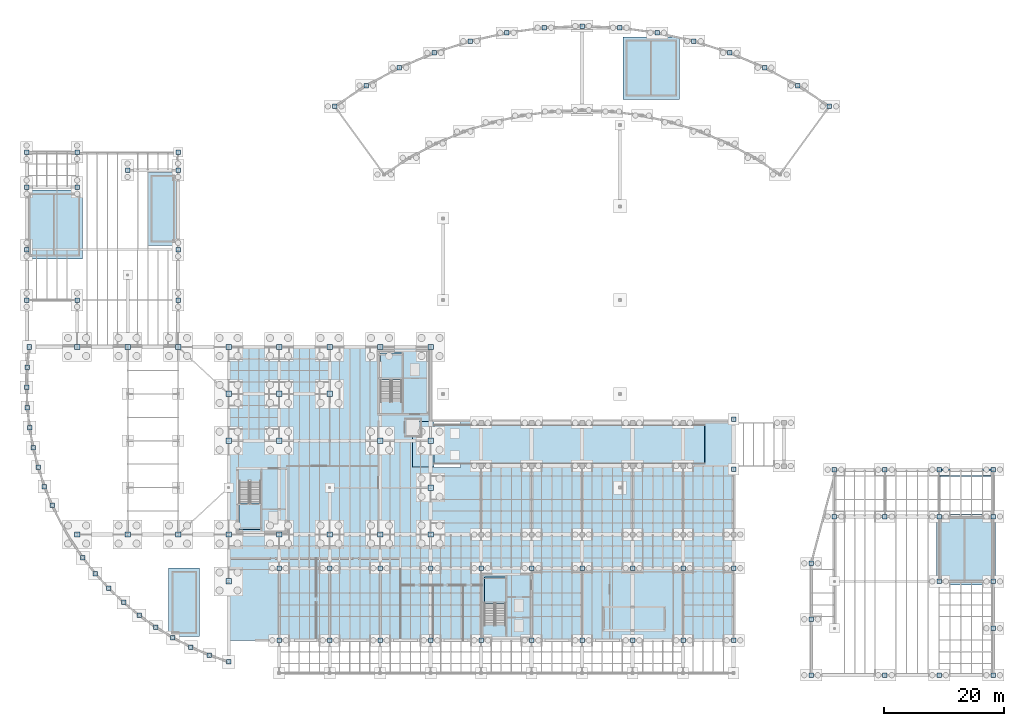
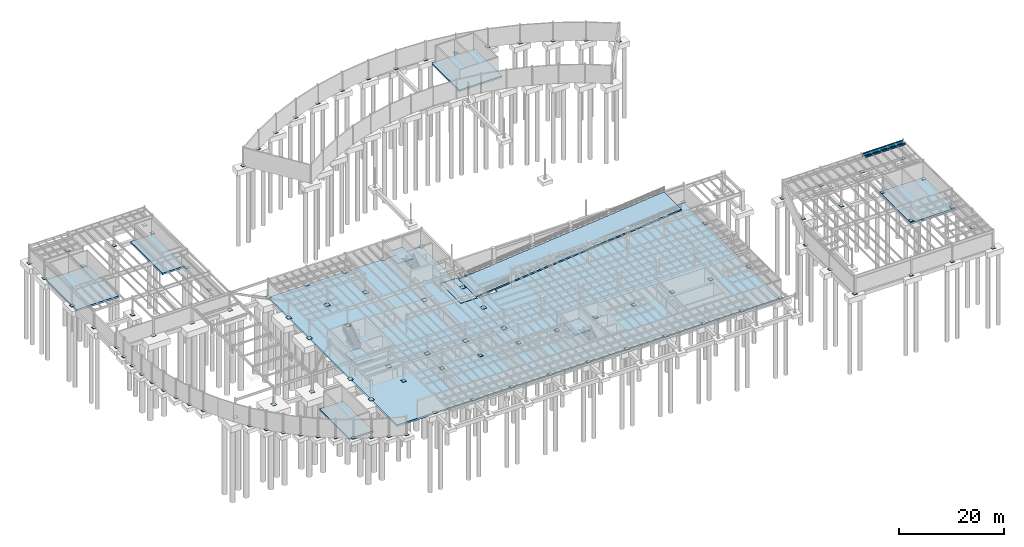
# One storey, part 31 of 41: 110 plates, 11 slabs, 2 beams, 3 elements without a shape of their own.
"""IFC4 building model written with IfcOpenShell, lengths in metres."""

from ifc_helpers import new_model, si_unit, direction, frame, origin, origin_2d, place, context, subcontext, project, spatial, polyline, rectangle, i_section, outline, extrude, material, layer, layer_set, material_profile, profile_set, type_object, element, aggregate, save


model = new_model("IFC4")

# Units and contexts
model_context = context("Model", 3, precision=1e-05, world=origin(), true_north=direction((0.0, 1.0)))
body_context = subcontext(model_context, "Body", "Model", "MODEL_VIEW")
ifc_project = project(units=[si_unit("LENGTHUNIT", "METRE"), si_unit("AREAUNIT", "SQUARE_METRE"), si_unit("VOLUMEUNIT", "CUBIC_METRE"), si_unit("PLANEANGLEUNIT", "RADIAN"), si_unit("MASSUNIT", "GRAM", prefix="KILO")], contexts=[model_context])

# Site, building, storey
site_placement = place(None, origin())
site = spatial("IfcSite", under=ifc_project, at=site_placement, CompositionType="ELEMENT")
building_placement = place(site_placement, origin())
building = spatial("IfcBuilding", under=site, at=building_placement, Name="Selat Folded Stagehouse", CompositionType="ELEMENT")
storey_placement = place(building_placement, frame((0.0, 0.0, -4.5)))
storey = spatial("IfcBuildingStorey", under=building, at=storey_placement, Name="B1", CompositionType="ELEMENT", Elevation=-4.5)

# Beams
ifc_material_1 = material(Name="Steel S355", Category="steel")
ifc_material_profile_1 = material_profile(ifc_material_1, i_section(OverallWidth=0.253662109375, OverallDepth=0.68359375, WebThickness=0.012451171875, FlangeThickness=0.01904296875, FilletRadius=0.01513671875, at=origin_2d()), Name="UKB 686x254x140")
ifc_profile_set_1 = profile_set([ifc_material_profile_1], Name="Steel S355")
beam_type_1 = type_object("IfcBeamType", Name="BM-GIRD-686x254x140", PredefinedType="BEAM", material=ifc_profile_set_1)
beam_1_placement = place(storey_placement, frame((151.8798828125, 34.199951171875, 3.908203125), z_axis=(1.0, 0.0, 0.0), x_axis=(0.0, 1.0, 0.0)))
element("IfcBeam", 1, at=beam_1_placement, inside=storey, type_object=beam_type_1, Name="B1 primary x-girder 0052", PredefinedType="BEAM", context=body_context, shape_type="SweptSolid", body=[
    extrude(i_section(OverallWidth=0.253662109375, OverallDepth=0.68359375, WebThickness=0.012451171875, FlangeThickness=0.01904296875, FilletRadius=0.01513671875, at=origin_2d()), origin(), (0.0, 0.0, 1.0), 8.840087890625),
])
ifc_material_profile_2 = material_profile(ifc_material_1, i_section(OverallWidth=0.177978515625, OverallDepth=0.406494140625, WebThickness=0.0078125, FlangeThickness=0.0126953125, FilletRadius=0.01025390625, at=origin_2d()), Name="UKB 406x178x60")
ifc_profile_set_2 = profile_set([ifc_material_profile_2], Name="Steel S355")
beam_type_2 = type_object("IfcBeamType", Name="JST-406x178x60", PredefinedType="JOIST", material=ifc_profile_set_2)
beam_2_placement = place(storey_placement, frame((151.873779296875, 33.14990234375, 4.046875), z_axis=(1.0, 0.0, 0.0), x_axis=(0.0, 1.0, 0.0)))
element("IfcBeam", 2, at=beam_2_placement, inside=storey, type_object=beam_type_2, Name="B1 secondary x-joist 0481", PredefinedType="JOIST", context=body_context, shape_type="SweptSolid", body=[
    extrude(i_section(OverallWidth=0.177978515625, OverallDepth=0.406494140625, WebThickness=0.0078125, FlangeThickness=0.0126953125, FilletRadius=0.01025390625, at=origin_2d()), origin(), (0.0, 0.0, 1.0), 8.8525390625),
])

# Plates
ifc_layer_1 = layer(ifc_material_1, 0.031982421875)
ifc_layer_set_1 = layer_set([ifc_layer_1], Name="Steel S355")
plate_type_1 = type_object("IfcPlateType", Name="PLT-BASE-750x750x32", PredefinedType="USERDEFINED", material=ifc_layer_set_1)
for number, where, z_axis, x_axis, name in (
    (3, (0.455810546875, 54.60009765625, 0.0), (0.0, 0.0, 1.0), (1.0, 0.0, 0.0), "Column base plate STK-DRM-00"),
    (4, (0.110107421875, 51.248779296875, 0.0), (0.0, 0.0, 1.0), (1.0, 0.0, 0.0), "Column base plate STK-DRM-01"),
    (5, (0.0, 47.881591796875, 0.0), (0.0, 0.0, 1.0), (1.0, 0.0, 0.0), "Column base plate STK-DRM-02"),
    (6, (0.126708984375, 44.514892578125, 0.0), (0.0, 0.0, 1.0), (1.0, 0.0, 0.0), "Column base plate STK-DRM-03"),
    (7, (0.489013671875, 41.16552734375, 0.0), (0.0, 0.0, 1.0), (1.0, 0.0, 0.0), "Column base plate STK-DRM-04"),
    (8, (1.08544921875, 37.849609375, 0.0), (0.0, 0.0, 1.0), (1.0, 0.0, 0.0), "Column base plate STK-DRM-05"),
    (9, (1.9130859375, 34.583984375, 0.0), (0.0, 0.0, 1.0), (1.0, 0.0, 0.0), "Column base plate STK-DRM-06"),
    (10, (2.967529296875, 31.38427734375, 0.0), (0.0, 0.0, 1.0), (1.0, 0.0, 0.0), "Column base plate STK-DRM-07"),
    (11, (4.243896484375, 28.266357421875, 0.0), (0.0, 0.0, 1.0), (1.0, 0.0, 0.0), "Column base plate STK-DRM-08"),
    (12, (9.336181640625, 19.55517578125, 0.0), (0.0, 0.0, 1.0), (1.0, 0.0, 0.0), "Column base plate STK-DRM-11"),
    (13, (11.4267578125, 16.9130859375, 0.0), (0.0, 0.0, 1.0), (1.0, 0.0, 0.0), "Column base plate STK-DRM-12"),
    (14, (13.697509765625, 14.42431640625, 0.0), (0.0, 0.0, 1.0), (1.0, 0.0, 0.0), "Column base plate STK-DRM-13"),
    (15, (16.136962890625, 12.100830078125, 0.0), (0.0, 0.0, 1.0), (1.0, 0.0, 0.0), "Column base plate STK-DRM-14"),
    (16, (18.733642578125, 9.954345703125, 0.0), (0.0, 0.0, 1.0), (1.0, 0.0, 0.0), "Column base plate STK-DRM-15"),
    (17, (21.474365234375, 7.9951171875, 0.0), (0.0, 0.0, 1.0), (1.0, 0.0, 0.0), "Column base plate STK-DRM-16"),
    (18, (24.345703125, 6.23291015625, 0.0), (0.0, 0.0, 1.0), (1.0, 0.0, 0.0), "Column base plate STK-DRM-17"),
    (19, (27.333740234375, 4.6767578125, 0.0), (0.0, 0.0, 1.0), (1.0, 0.0, 0.0), "Column base plate STK-DRM-18"),
    (20, (30.423583984375, 3.333740234375, 0.0), (0.0, 0.0, 1.0), (1.0, 0.0, 0.0), "Column base plate STK-DRM-19"),
    (21, (33.60009765625, 2.2109375, 0.0), (0.0, 0.0, 1.0), (1.0, 0.0, 0.0), "Column base plate STK-DRM-20"),
    (22, (42.0, 5.800048828125, 0.0), (0.0, 0.0, 1.0), (1.0, 0.0, 0.0), "Column base plate STK-V5-42-58"),
    (23, (42.0, 17.800048828125, 0.0), (0.0, 0.0, 1.0), (1.0, 0.0, 0.0), "Column base plate STK-V5-42-178"),
    (24, (50.39990234375, 5.800048828125, 0.0), (0.0, 0.0, 1.0), (1.0, 0.0, 0.0), "Column base plate STK-V5-50-58"),
    (25, (50.39990234375, 17.800048828125, 0.0), (0.0, 0.0, 1.0), (1.0, 0.0, 0.0), "Column base plate STK-V5-50-178"),
    (26, (58.800048828125, 5.800048828125, 0.0), (0.0, 0.0, 1.0), (1.0, 0.0, 0.0), "Column base plate STK-V5-58-58"),
    (27, (58.800048828125, 17.800048828125, 0.0), (0.0, 0.0, 1.0), (1.0, 0.0, 0.0), "Column base plate STK-V5-58-178"),
    (28, (67.199951171875, 5.800048828125, 0.0), (0.0, 0.0, 1.0), (1.0, 0.0, 0.0), "Column base plate STK-V5-67-58"),
    (29, (67.199951171875, 17.800048828125, 0.0), (0.0, 0.0, 1.0), (1.0, 0.0, 0.0), "Column base plate STK-V5-67-178"),
    (30, (75.60009765625, 5.800048828125, 0.0), (0.0, 0.0, 1.0), (1.0, 0.0, 0.0), "Column base plate STK-V5-75-58"),
    (31, (75.60009765625, 17.800048828125, 0.0), (0.0, 0.0, 1.0), (1.0, 0.0, 0.0), "Column base plate STK-V5-75-178"),
    (32, (84.0, 5.800048828125, 0.0), (0.0, 0.0, 1.0), (1.0, 0.0, 0.0), "Column base plate STK-V5-84-58"),
    (33, (84.0, 17.800048828125, 0.0), (0.0, 0.0, 1.0), (1.0, 0.0, 0.0), "Column base plate STK-V5-84-178"),
    (34, (92.39990234375, 5.800048828125, 0.0), (0.0, 0.0, 1.0), (1.0, 0.0, 0.0), "Column base plate STK-V5-92-58"),
    (35, (92.39990234375, 17.800048828125, 0.0), (0.0, 0.0, 1.0), (1.0, 0.0, 0.0), "Column base plate STK-V5-92-178"),
    (36, (100.800048828125, 5.800048828125, 0.0), (0.0, 0.0, 1.0), (1.0, 0.0, 0.0), "Column base plate STK-V5-100-58"),
    (37, (100.800048828125, 17.800048828125, 0.0), (0.0, 0.0, 1.0), (1.0, 0.0, 0.0), "Column base plate STK-V5-100-178"),
    (38, (109.199951171875, 5.800048828125, 0.0), (0.0, 0.0, 1.0), (1.0, 0.0, 0.0), "Column base plate STK-V5-109-58"),
    (39, (109.199951171875, 17.800048828125, 0.0), (0.0, 0.0, 1.0), (1.0, 0.0, 0.0), "Column base plate STK-V5-109-178"),
    (40, (117.60009765625, 5.800048828125, 0.0), (0.0, 0.0, 1.0), (1.0, 0.0, 0.0), "Column base plate STK-V5-117-58"),
    (41, (117.60009765625, 17.800048828125, 0.0), (0.0, 0.0, 1.0), (1.0, 0.0, 0.0), "Column base plate STK-V5-117-178"),
    (42, (130.510498046875, 0.0, 0.0), (0.0, 0.0, 1.0), (1.0, 0.0, 0.0), "Column base plate STK-V3-00"),
    (43, (130.510498046875, 9.300048828125, 0.0), (0.0, 0.0, 1.0), (1.0, 0.0, 0.0), "Column base plate STK-V3-01"),
    (44, (130.510498046875, 18.60009765625, 0.0), (0.0, 0.0, 1.0), (1.0, 0.0, 0.0), "Column base plate STK-V3-02"),
    (45, (134.39990234375, 26.39990234375, 0.0), (0.0, 0.0, 1.0), (1.0, 0.0, 0.0), "Column base plate STK-V3-03"),
    (46, (134.39990234375, 34.199951171875, 0.0), (0.0, 0.0, 1.0), (1.0, 0.0, 0.0), "Column base plate STK-V3-04"),
    (47, (142.800048828125, 0.0, 0.0), (0.0, 0.0, 1.0), (1.0, 0.0, 0.0), "Column base plate STK-V3-05"),
    (48, (142.800048828125, 26.39990234375, 0.0), (0.0, 0.0, 1.0), (1.0, 0.0, 0.0), "Column base plate STK-V3-06"),
    (49, (142.800048828125, 34.199951171875, 0.0), (0.0, 0.0, 1.0), (1.0, 0.0, 0.0), "Column base plate STK-V3-07"),
    (50, (151.800048828125, 0.0, 0.0), (0.0, 0.0, 1.0), (1.0, 0.0, 0.0), "Column base plate STK-V3-08"),
    (51, (151.800048828125, 15.60009765625, 0.0), (0.0, 0.0, 1.0), (1.0, 0.0, 0.0), "Column base plate STK-V3-09"),
    (52, (151.800048828125, 26.39990234375, 0.0), (0.0, 0.0, 1.0), (1.0, 0.0, 0.0), "Column base plate STK-V3-10"),
    (53, (151.800048828125, 34.199951171875, 0.0), (0.0, 0.0, 1.0), (1.0, 0.0, 0.0), "Column base plate STK-V3-11"),
    (54, (160.800048828125, 0.0, 0.0), (0.0, 0.0, 1.0), (1.0, 0.0, 0.0), "Column base plate STK-V3-12"),
    (55, (160.800048828125, 7.800048828125, 0.0), (0.0, 0.0, 1.0), (1.0, 0.0, 0.0), "Column base plate STK-V3-13"),
    (56, (160.800048828125, 15.60009765625, 0.0), (0.0, 0.0, 1.0), (1.0, 0.0, 0.0), "Column base plate STK-V3-14"),
    (57, (160.800048828125, 26.39990234375, 0.0), (0.0, 0.0, 1.0), (1.0, 0.0, 0.0), "Column base plate STK-V3-15"),
    (58, (160.800048828125, 34.199951171875, 0.0), (0.0, 0.0, 1.0), (1.0, 0.0, 0.0), "Column base plate STK-V3-16"),
    (59, (0.0, 62.39990234375, 0.0), (0.0, 0.0, 1.0), (1.0, 0.0, 0.0), "Column base plate STK-V4-01"),
    (60, (0.0, 70.800048828125, 0.0), (0.0, 0.0, 1.0), (1.0, 0.0, 0.0), "Column base plate STK-V4-02"),
    (61, (0.0, 81.199951171875, 0.0), (0.0, 0.0, 1.0), (1.0, 0.0, 0.0), "Column base plate STK-V4-03"),
    (62, (0.0, 87.0, 0.0), (0.0, 0.0, 1.0), (1.0, 0.0, 0.0), "Column base plate STK-V4-04"),
    (63, (8.39990234375, 62.39990234375, 0.0), (0.0, 0.0, 1.0), (1.0, 0.0, 0.0), "Column base plate STK-V4-05"),
    (64, (8.39990234375, 81.199951171875, 0.0), (0.0, 0.0, 1.0), (1.0, 0.0, 0.0), "Column base plate STK-V4-06"),
    (65, (8.39990234375, 87.0, 0.0), (0.0, 0.0, 1.0), (1.0, 0.0, 0.0), "Column base plate STK-V4-07"),
    (66, (16.800048828125, 84.0, 0.0), (0.0, 0.0, 1.0), (1.0, 0.0, 0.0), "Column base plate STK-V4-08"),
    (67, (25.199951171875, 62.39990234375, 0.0), (0.0, 0.0, 1.0), (1.0, 0.0, 0.0), "Column base plate STK-V4-10"),
    (68, (25.199951171875, 70.800048828125, 0.0), (0.0, 0.0, 1.0), (1.0, 0.0, 0.0), "Column base plate STK-V4-11"),
    (69, (25.199951171875, 84.0, 0.0), (0.0, 0.0, 1.0), (1.0, 0.0, 0.0), "Column base plate STK-V4-12"),
    (70, (25.199951171875, 87.0, 0.0), (0.0, 0.0, 1.0), (1.0, 0.0, 0.0), "Column base plate STK-V4-13"),
    (71, (51.2548828125, 94.631103515625, 0.0), (0.0, 0.0, 1.0), (1.0, 0.0, 0.0), "Column base plate STK-V6OUT-00"),
    (72, (56.4970703125, 98.09130859375, 0.0), (0.0, 0.0, 1.0), (1.0, 0.0, 0.0), "Column base plate STK-V6OUT-01"),
    (73, (62.028076171875, 101.06787109375, 0.0), (0.0, 0.0, 1.0), (1.0, 0.0, 0.0), "Column base plate STK-V6OUT-02"),
    (74, (67.8037109375, 103.536376953125, 0.0), (0.0, 0.0, 1.0), (1.0, 0.0, 0.0), "Column base plate STK-V6OUT-03"),
    (75, (73.77734375, 105.477294921875, 0.0), (0.0, 0.0, 1.0), (1.0, 0.0, 0.0), "Column base plate STK-V6OUT-04"),
    (76, (79.90087890625, 106.875, 0.0), (0.0, 0.0, 1.0), (1.0, 0.0, 0.0), "Column base plate STK-V6OUT-05"),
    (77, (86.125244140625, 107.71826171875, 0.0), (0.0, 0.0, 1.0), (1.0, 0.0, 0.0), "Column base plate STK-V6OUT-06"),
    (78, (92.39990234375, 108.0, 0.0), (0.0, 0.0, 1.0), (1.0, 0.0, 0.0), "Column base plate STK-V6OUT-07"),
    (79, (98.6748046875, 107.71826171875, 0.0), (0.0, 0.0, 1.0), (1.0, 0.0, 0.0), "Column base plate STK-V6OUT-08"),
    (80, (104.89892578125, 106.875, 0.0), (0.0, 0.0, 1.0), (1.0, 0.0, 0.0), "Column base plate STK-V6OUT-09"),
    (81, (111.022705078125, 105.477294921875, 0.0), (0.0, 0.0, 1.0), (1.0, 0.0, 0.0), "Column base plate STK-V6OUT-10"),
    (82, (116.99609375, 103.536376953125, 0.0), (0.0, 0.0, 1.0), (1.0, 0.0, 0.0), "Column base plate STK-V6OUT-11"),
    (83, (122.77197265625, 101.06787109375, 0.0), (0.0, 0.0, 1.0), (1.0, 0.0, 0.0), "Column base plate STK-V6OUT-12"),
    (84, (128.302978515625, 98.09130859375, 0.0), (0.0, 0.0, 1.0), (1.0, 0.0, 0.0), "Column base plate STK-V6OUT-13"),
    (85, (133.544921875, 94.631103515625, 0.0), (0.0, 0.0, 1.0), (1.0, 0.0, 0.0), "Column base plate STK-V6OUT-14"),
    (86, (117.60009765625, 34.25, 0.0), (0.0, 0.0, 1.0), (1.0, 0.0, 0.0), "Column base plate STK-RMPJMB-S"),
    (87, (117.60009765625, 42.550048828125, 0.0), (0.0, 0.0, 1.0), (1.0, 0.0, 0.0), "Column base plate STK-RMPJMB-N"),
):
    element("IfcPlate", number, at=place(storey_placement, frame(where, z_axis=z_axis, x_axis=x_axis)), inside=storey, type_object=plate_type_1, Name=name, ObjectType="BASE_PLATE", PredefinedType="USERDEFINED", context=body_context, shape_type="SweptSolid", body=[
        extrude(rectangle(XDim=0.75, YDim=0.75, at=origin_2d()), origin(), (0.0, 0.0, 1.0), 0.031982421875),
    ])
ifc_layer_2 = layer(ifc_material_1, 0.035888671875)
ifc_layer_set_2 = layer_set([ifc_layer_2], Name="Steel S355")
plate_type_2 = type_object("IfcPlateType", Name="PLT-BASE-900x900x36", PredefinedType="USERDEFINED", material=ifc_layer_set_2)
for number, where, z_axis, x_axis, name in (
    (88, (8.39990234375, 23.39990234375, 0.0), (0.0, 0.0, 1.0), (1.0, 0.0, 0.0), "Column base plate STK-V2-00"),
    (89, (16.800048828125, 23.39990234375, 0.0), (0.0, 0.0, 1.0), (1.0, 0.0, 0.0), "Column base plate STK-V2-01"),
    (90, (25.199951171875, 23.39990234375, 0.0), (0.0, 0.0, 1.0), (1.0, 0.0, 0.0), "Column base plate STK-V2-02"),
    (91, (8.39990234375, 54.60009765625, 0.0), (0.0, 0.0, 1.0), (1.0, 0.0, 0.0), "Column base plate STK-V2-03"),
    (92, (16.800048828125, 54.60009765625, 0.0), (0.0, 0.0, 1.0), (1.0, 0.0, 0.0), "Column base plate STK-V2-04"),
    (93, (25.199951171875, 54.60009765625, 0.0), (0.0, 0.0, 1.0), (1.0, 0.0, 0.0), "Column base plate STK-V2-05"),
    (94, (33.60009765625, 15.60009765625, 0.0), (0.0, 0.0, 1.0), (1.0, 0.0, 0.0), "Column base plate STK-V2-06"),
    (95, (33.60009765625, 23.39990234375, 0.0), (0.0, 0.0, 1.0), (1.0, 0.0, 0.0), "Column base plate STK-V2-07"),
    (96, (33.60009765625, 39.0, 0.0), (0.0, 0.0, 1.0), (1.0, 0.0, 0.0), "Column base plate STK-V2-08"),
    (97, (33.60009765625, 46.800048828125, 0.0), (0.0, 0.0, 1.0), (1.0, 0.0, 0.0), "Column base plate STK-V2-09"),
    (98, (33.60009765625, 54.60009765625, 0.0), (0.0, 0.0, 1.0), (1.0, 0.0, 0.0), "Column base plate STK-V2-10"),
    (99, (42.0, 23.39990234375, 0.0), (0.0, 0.0, 1.0), (1.0, 0.0, 0.0), "Column base plate STK-V2-11"),
    (100, (42.0, 39.0, 0.0), (0.0, 0.0, 1.0), (1.0, 0.0, 0.0), "Column base plate STK-V2-12"),
    (101, (42.0, 46.800048828125, 0.0), (0.0, 0.0, 1.0), (1.0, 0.0, 0.0), "Column base plate STK-V2-13"),
    (102, (42.0, 54.60009765625, 0.0), (0.0, 0.0, 1.0), (1.0, 0.0, 0.0), "Column base plate STK-V2-14"),
    (103, (50.39990234375, 23.39990234375, 0.0), (0.0, 0.0, 1.0), (1.0, 0.0, 0.0), "Column base plate STK-V2-15"),
    (104, (50.39990234375, 46.800048828125, 0.0), (0.0, 0.0, 1.0), (1.0, 0.0, 0.0), "Column base plate STK-V2-16"),
    (105, (50.39990234375, 54.60009765625, 0.0), (0.0, 0.0, 1.0), (1.0, 0.0, 0.0), "Column base plate STK-V2-17"),
    (106, (58.800048828125, 23.39990234375, 0.0), (0.0, 0.0, 1.0), (1.0, 0.0, 0.0), "Column base plate STK-V2-18"),
    (107, (58.800048828125, 39.0, 0.0), (0.0, 0.0, 1.0), (1.0, 0.0, 0.0), "Column base plate STK-V2-19"),
    (108, (58.800048828125, 54.60009765625, 0.0), (0.0, 0.0, 1.0), (1.0, 0.0, 0.0), "Column base plate STK-V2-20"),
    (109, (67.199951171875, 23.39990234375, 0.0), (0.0, 0.0, 1.0), (1.0, 0.0, 0.0), "Column base plate STK-V2-21"),
    (110, (67.199951171875, 31.199951171875, 0.0), (0.0, 0.0, 1.0), (1.0, 0.0, 0.0), "Column base plate STK-V2-22"),
    (111, (67.199951171875, 39.0, 0.0), (0.0, 0.0, 1.0), (1.0, 0.0, 0.0), "Column base plate STK-V2-23"),
    (112, (67.199951171875, 54.60009765625, 0.0), (0.0, 0.0, 1.0), (1.0, 0.0, 0.0), "Column base plate STK-V2-24"),
):
    element("IfcPlate", number, at=place(storey_placement, frame(where, z_axis=z_axis, x_axis=x_axis)), inside=storey, type_object=plate_type_2, Name=name, ObjectType="BASE_PLATE", PredefinedType="USERDEFINED", context=body_context, shape_type="SweptSolid", body=[
        extrude(rectangle(XDim=0.89990234375, YDim=0.89990234375, at=origin_2d()), origin(), (0.0, 0.0, 1.0), 0.035888671875),
    ])

# Slabs
ifc_material_2 = material(Name="Concrete C40/50", Category="concrete")
ifc_layer_3 = layer(ifc_material_2, 0.39990234375)
ifc_layer_set_3 = layer_set([ifc_layer_3], Name="Concrete C40/50")
slab_type_1 = type_object("IfcSlabType", Name="SLAB-BASE-400", PredefinedType="BASESLAB", material=ifc_layer_set_3)
slab_1_placement = place(storey_placement, frame((0.0, 0.0, -0.39990234375)))
element("IfcSlab", 113, at=slab_1_placement, inside=storey, type_object=slab_type_1, Name="B1 B1 baseslab slab SL-B1-MAIN", PredefinedType="BASESLAB", context=body_context, shape_type="SweptSolid", body=[
    extrude(outline(polyline([(33.60009765625, 5.800048828125), (117.60009765625, 5.800048828125), (117.60009765625, 42.300048828125), (67.199951171875, 42.300048828125), (67.199951171875, 54.60009765625), (33.60009765625, 54.60009765625), (33.60009765625, 5.800048828125)]), holes=[polyline([(64.199951171875, 42.219970703125), (72.199951171875, 42.219970703125), (72.199951171875, 34.580078125), (64.199951171875, 34.580078125), (64.199951171875, 42.219970703125)])]), origin(), (0.0, 0.0, 1.0), 0.39990234375),
])
slab_2_placement = place(storey_placement, frame((0.0, 0.0, -0.39990234375)))
element("IfcSlab", 114, at=slab_2_placement, inside=storey, type_object=slab_type_1, Name="B1 B1 baseslab slab SL-B1-RAFT-CR4", PredefinedType="BASESLAB", context=body_context, shape_type="SweptSolid", body=[
    extrude(outline(polyline([(151.39990234375, 15.0), (161.199951171875, 15.0), (161.199951171875, 26.800048828125), (151.39990234375, 26.800048828125), (151.39990234375, 15.0)])), origin(), (0.0, 0.0, 1.0), 0.39990234375),
])
slab_3_placement = place(storey_placement, frame((0.0, 0.0, -0.39990234375)))
element("IfcSlab", 115, at=slab_3_placement, inside=storey, type_object=slab_type_1, Name="B1 B1 baseslab slab SL-B1-RAFT-CR5", PredefinedType="BASESLAB", context=body_context, shape_type="SweptSolid", body=[
    extrude(outline(polyline([(0.0, 69.199951171875), (9.300048828125, 69.199951171875), (9.300048828125, 80.699951171875), (0.0, 80.699951171875), (0.0, 69.199951171875)])), origin(), (0.0, 0.0, 1.0), 0.39990234375),
])
slab_4_placement = place(storey_placement, frame((0.0, 0.0, -0.39990234375)))
element("IfcSlab", 116, at=slab_4_placement, inside=storey, type_object=slab_type_1, Name="B1 B1 baseslab slab SL-B1-RAFT-CR6", PredefinedType="BASESLAB", context=body_context, shape_type="SweptSolid", body=[
    extrude(outline(polyline([(99.199951171875, 95.800048828125), (108.60009765625, 95.800048828125), (108.60009765625, 106.199951171875), (99.199951171875, 106.199951171875), (99.199951171875, 95.800048828125)])), origin(), (0.0, 0.0, 1.0), 0.39990234375),
])
slab_5_placement = place(storey_placement, frame((0.0, 0.0, -0.39990234375)))
element("IfcSlab", 117, at=slab_5_placement, inside=storey, type_object=slab_type_1, Name="B1 B1 baseslab slab SL-B1-RAFT-ST07", PredefinedType="BASESLAB", context=body_context, shape_type="SweptSolid", body=[
    extrude(outline(polyline([(20.199951171875, 71.5), (25.10009765625, 71.5), (25.10009765625, 83.60009765625), (20.199951171875, 83.60009765625), (20.199951171875, 71.5)])), origin(), (0.0, 0.0, 1.0), 0.39990234375),
])
slab_6_placement = place(storey_placement, frame((0.0, 0.0, -0.39990234375)))
element("IfcSlab", 118, at=slab_6_placement, inside=storey, type_object=slab_type_1, Name="B1 B1 baseslab slab SL-B1-RAFT-ST09", PredefinedType="BASESLAB", context=body_context, shape_type="SweptSolid", body=[
    extrude(outline(polyline([(23.60009765625, 6.39990234375), (28.800048828125, 6.39990234375), (28.800048828125, 17.800048828125), (23.60009765625, 17.800048828125), (23.60009765625, 6.39990234375)])), origin(), (0.0, 0.0, 1.0), 0.39990234375),
])

# Stair, slab
stair_type_1 = type_object("IfcStairType", Name="STR-DOG-1700-28R", PredefinedType="HALF_TURN_STAIR", material=ifc_material_2)
stair_1_placement = place(storey_placement, origin())
stair_1 = element("IfcStair", 119, at=stair_1_placement, inside=storey, type_object=stair_type_1, Name="B1 Core 1 South-West Fire Core", PredefinedType="HALF_TURN_STAIR")
ifc_layer_4 = layer(ifc_material_2, 0.199951171875)
ifc_layer_set_4 = layer_set([ifc_layer_4], Name="Concrete C40/50")
slab_type_2 = type_object("IfcSlabType", Name="SLAB-STR-LDG-200", PredefinedType="LANDING", material=ifc_layer_set_4)
slab_7_placement = place(storey_placement, frame((0.0, 0.0, 2.050048828125)))
slab_7 = element("IfcSlab", 120, at=slab_7_placement, type_object=slab_type_2, Name="ST-1700-28R landing 1", PredefinedType="LANDING", context=body_context, shape_type="SweptSolid", body=[
    extrude(outline(polyline([(35.360107421875, 28.635009765625), (35.360107421875, 24.239990234375), (38.919921875, 24.239990234375), (38.919921875, 28.635009765625), (35.360107421875, 28.635009765625)])), origin(), (0.0, 0.0, 1.0), 0.199951171875),
])
aggregate(stair_1, [slab_7])

stair_2_placement = place(storey_placement, origin())
stair_2 = element("IfcStair", 121, at=stair_2_placement, inside=storey, type_object=stair_type_1, Name="B1 Core 2 North-East Stage Fire Core", PredefinedType="HALF_TURN_STAIR")
slab_8_placement = place(storey_placement, frame((0.0, 0.0, 2.050048828125)))
slab_8 = element("IfcSlab", 122, at=slab_8_placement, type_object=slab_type_2, Name="ST-1700-28R landing 1", PredefinedType="LANDING", context=body_context, shape_type="SweptSolid", body=[
    extrude(outline(polyline([(62.419921875, 49.1650390625), (62.419921875, 53.56005859375), (58.860107421875, 53.56005859375), (58.860107421875, 49.1650390625), (62.419921875, 49.1650390625)])), origin(), (0.0, 0.0, 1.0), 0.199951171875),
])
aggregate(stair_2, [slab_8])

stair_type_2 = type_object("IfcStairType", Name="STR-DOG-1680-28R", PredefinedType="HALF_TURN_STAIR", material=ifc_material_2)
stair_3_placement = place(storey_placement, origin())
stair_3 = element("IfcStair", 123, at=stair_3_placement, inside=storey, type_object=stair_type_2, Name="B1 Core 3 Foyer South Core", PredefinedType="HALF_TURN_STAIR")
slab_9_placement = place(storey_placement, frame((0.0, 0.0, 2.050048828125)))
slab_9 = element("IfcSlab", 124, at=slab_9_placement, type_object=slab_type_2, Name="ST-1680-28R landing 1", PredefinedType="LANDING", context=body_context, shape_type="SweptSolid", body=[
    extrude(outline(polyline([(79.679931640625, 11.93505859375), (79.679931640625, 16.35009765625), (76.159912109375, 16.35009765625), (76.159912109375, 11.93505859375), (79.679931640625, 11.93505859375)])), origin(), (0.0, 0.0, 1.0), 0.199951171875),
])
aggregate(stair_3, [slab_9])

# Slabs
ifc_layer_5 = layer(ifc_material_2, 0.304931640625)
ifc_layer_set_5 = layer_set([ifc_layer_5], Name="Concrete C40/50")
slab_type_3 = type_object("IfcSlabType", Name="SLAB-VRM-APRON-305", PredefinedType="FLOOR", material=ifc_layer_set_5)
slab_10_placement = place(storey_placement, frame((0.0, 0.0, -0.304931640625)))
element("IfcSlab", 125, at=slab_10_placement, inside=storey, type_object=slab_type_3, Name="Basement Car Park Vehicle Ramp Bottom Transition Apron VRM-01", PredefinedType="FLOOR", context=body_context, shape_type="SweptSolid", body=[
    extrude(outline(polyline([(64.199951171875, 34.60009765625), (67.800048828125, 34.60009765625), (67.800048828125, 42.199951171875), (64.199951171875, 42.199951171875), (64.199951171875, 34.60009765625)])), origin(), (0.0, 0.0, 1.0), 0.304931640625),
])
ifc_layer_6 = layer(ifc_material_2, 0.300048828125)
ifc_layer_set_6 = layer_set([ifc_layer_6], Name="Concrete C40/50")
slab_type_4 = type_object("IfcSlabType", Name="SLAB-VRM-SLOPE-300", PredefinedType="FLOOR", material=ifc_layer_set_6)
slab_11_placement = place(storey_placement, frame((67.800048828125, 35.10009765625, 0.0), z_axis=(-0.099503719021, 0.0, 0.99503719021), x_axis=(0.99503719021, 0.0, 0.099503719021)))
element("IfcSlab", 126, at=slab_11_placement, inside=storey, type_object=slab_type_4, Name="Basement Car Park Two-Way Vehicle Ramp Structural Slab VRM-01", PredefinedType="FLOOR", context=body_context, shape_type="SweptSolid", body=[
    extrude(outline(polyline([(0.0, 0.0), (45.224440295044005, 0.0), (45.224440295044005, 6.599853515625), (0.0, 6.599853515625), (0.0, 0.0)])), origin(), (0.0, 0.0, -1.0), 0.300048828125),
])

save(model, "model.ifc")
